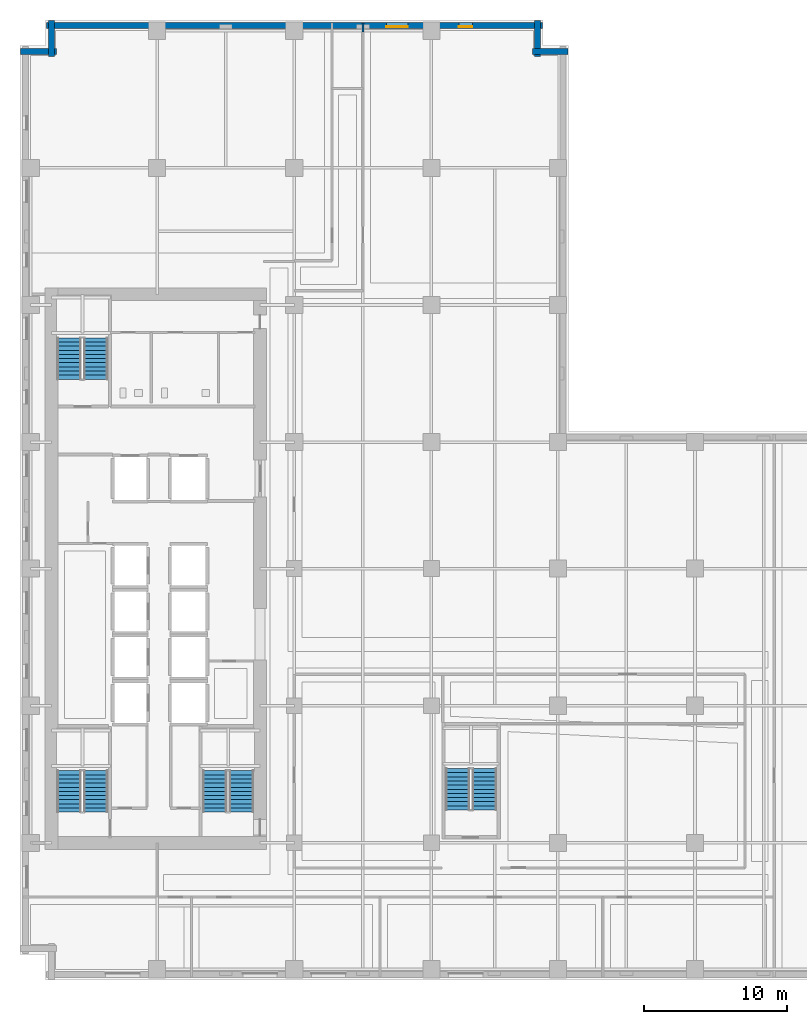
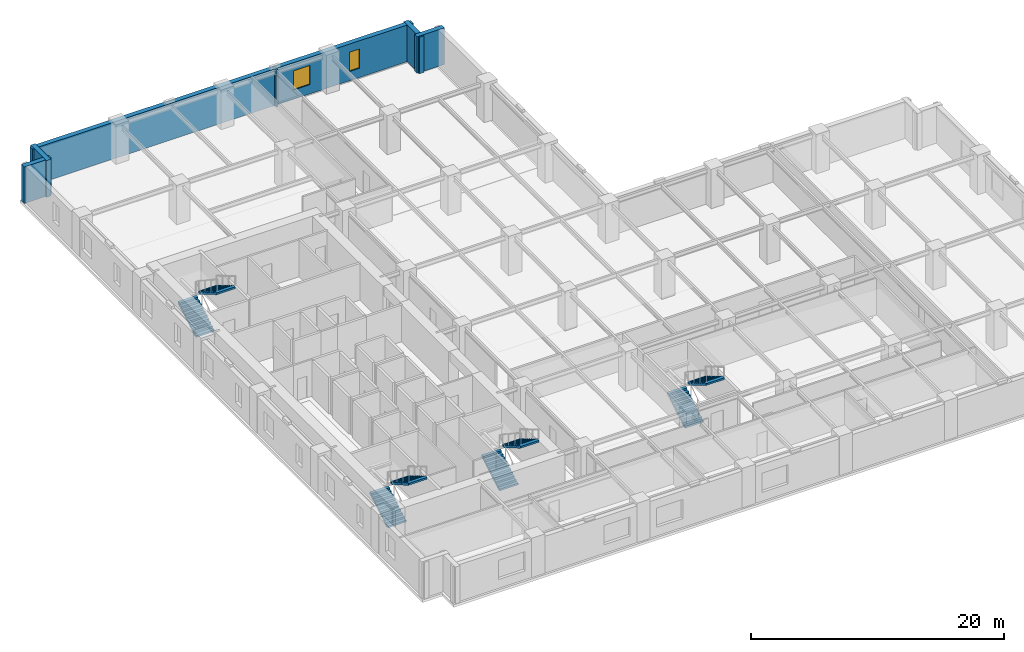
# One storey, part 8 of 13: 8 stair flights, 6 walls, 2 windows, 2 openings, 4 elements without a shape of their own.
"""IFC4 building model written with IfcOpenShell, lengths in metres."""

import ifcopenshell
import ifcopenshell.guid

model = None  # the IFC model being written
_history = None  # IfcOwnerHistory: only IFC2X3 demands one
_inside = {}  # id of a spatial element -> (the spatial element, [elements in it])
_under = {}  # id of a project, library or spatial element -> (it, [spatial elements below it])
_declared = {}  # id of a project -> (the project, [libraries it declares])
_typed = {}  # id of a type object -> (the type object, [elements of that type])
_made_of = {}  # id of a material, layer set ... -> (it, [elements and type objects made of it])


def new_model(schema):
    """Start an empty IFC model of exactly this schema.

    Asked for "IFC4X3", IfcOpenShell would pick the latest addendum, in which some entities
    have other attributes; the version numbers below select the first issue.
    IFC2X3 requires an IfcOwnerHistory on every rooted entity: one is made here for all.
    """
    global model, _history
    if schema == "IFC4X3":
        model = ifcopenshell.file(schema_version=(4, 3, 0, 0))
    else:
        model = ifcopenshell.file(schema=schema)
    _inside.clear()
    _under.clear()
    _declared.clear()
    _typed.clear()
    _made_of.clear()
    _history = None
    if model.schema == "IFC2X3":
        org = make("IfcOrganization", Name="unknown")
        user = make(
            "IfcPersonAndOrganization",
            ThePerson=make("IfcPerson", FamilyName="unknown"),
            TheOrganization=org,
        )
        app = make(
            "IfcApplication",
            ApplicationDeveloper=org,
            Version="unknown",
            ApplicationFullName="unknown",
            ApplicationIdentifier="unknown",
        )
        _history = make(
            "IfcOwnerHistory",
            OwningUser=user,
            OwningApplication=app,
            ChangeAction="ADDED",
            CreationDate=0,
        )
    return model


def make(cls, **values):
    """One entity of the class cls with the attributes given. An attribute that is None is left unset."""
    return model.create_entity(
        cls, **{name: value for name, value in values.items() if value is not None}
    )


def rooted(cls, **values):
    """An entity with a GlobalId (a new one), such as an element, a storey or a relation."""
    return make(cls, GlobalId=ifcopenshell.guid.new(), OwnerHistory=_history, **values)


def si_unit(unit_type, name, prefix=None):
    """IfcSIUnit, for example si_unit("LENGTHUNIT", "METRE", prefix="MILLI")."""
    return make("IfcSIUnit", UnitType=unit_type, Prefix=prefix, Name=name)


def assignment(units):
    """IfcUnitAssignment: the units of a project."""
    return None if units is None else make("IfcUnitAssignment", Units=units)


def point(xyz):
    """IfcCartesianPoint."""
    return None if xyz is None else make("IfcCartesianPoint", Coordinates=xyz)


def direction(xyz):
    """IfcDirection."""
    return None if xyz is None else make("IfcDirection", DirectionRatios=xyz)


def frame(location, z_axis=None, x_axis=None):
    """IfcAxis2Placement3D, a coordinate frame: its origin and axes. An axis left out is left unset."""
    return make(
        "IfcAxis2Placement3D",
        Location=point(location),
        Axis=direction(z_axis),
        RefDirection=direction(x_axis),
    )


def frame_2d(location, x_axis=None):
    """IfcAxis2Placement2D, a coordinate frame in the plane: its origin and x axis."""
    return make(
        "IfcAxis2Placement2D", Location=point(location), RefDirection=direction(x_axis)
    )


def origin():
    """The frame at (0, 0, 0) with its axes left unset."""
    return frame((0.0, 0.0, 0.0))


def place(relative_to, where):
    """IfcLocalPlacement: puts the frame where relative to a parent placement (None: the world)."""
    return make(
        "IfcLocalPlacement", PlacementRelTo=relative_to, RelativePlacement=where
    )


def context(
    kind, dimensions, precision=None, world=None, true_north=None, identifier=None
):
    """IfcGeometricRepresentationContext, for example the 3D "Model" context."""
    return make(
        "IfcGeometricRepresentationContext",
        ContextIdentifier=identifier,
        ContextType=kind,
        CoordinateSpaceDimension=dimensions,
        Precision=precision,
        WorldCoordinateSystem=world,
        TrueNorth=true_north,
    )


def subcontext(parent, identifier, kind, view, scale=None):
    """IfcGeometricRepresentationSubContext, for example "Body" below "Model"."""
    return make(
        "IfcGeometricRepresentationSubContext",
        ContextIdentifier=identifier,
        ContextType=kind,
        ParentContext=parent,
        TargetScale=scale,
        TargetView=view,
    )


def project(units=None, contexts=None):
    """IfcProject with its units and contexts."""
    return rooted(
        "IfcProject",
        Name="project",
        RepresentationContexts=contexts,
        UnitsInContext=assignment(units),
    )


def spatial(cls, under=None, at=None, **own):
    """A site, building, storey or space (cls), placed at a placement, below another one or the project."""
    s = rooted(cls, ObjectPlacement=at, **own)
    if under is not None:
        _under.setdefault(under.id(), (under, []))[1].append(s)
    return s


def polyline(points):
    """IfcPolyline through the points."""
    return make("IfcPolyline", Points=[point(p) for p in points])


def profile(cls, at=None, kind="AREA", **sizes):
    """A parametric profile (cls). Its sizes go by their IFC names, for example OverallWidth=200.0."""
    return make(cls, ProfileType=kind, Position=at, **sizes)


def rectangle(**sizes):
    """IfcRectangleProfileDef."""
    return profile("IfcRectangleProfileDef", **sizes)


def outline(outer, holes=None, kind="AREA"):
    """IfcArbitraryClosedProfileDef: a profile drawn as a closed curve; with holes, ...WithVoids."""
    if holes is None:
        return make("IfcArbitraryClosedProfileDef", ProfileType=kind, OuterCurve=outer)
    return make(
        "IfcArbitraryProfileDefWithVoids",
        ProfileType=kind,
        OuterCurve=outer,
        InnerCurves=holes,
    )


def extrude(swept, where, along, depth):
    """IfcExtrudedAreaSolid: the profile swept, set in the frame where, extruded along a direction by depth."""
    return make(
        "IfcExtrudedAreaSolid",
        SweptArea=swept,
        Position=where,
        ExtrudedDirection=direction(along),
        Depth=depth,
    )


def shape(context_of_items, identifier, shape_type, items):
    """IfcShapeRepresentation: the items that make up one representation, for example the "Body"."""
    return make(
        "IfcShapeRepresentation",
        ContextOfItems=context_of_items,
        RepresentationIdentifier=identifier,
        RepresentationType=shape_type,
        Items=items,
    )


def material(Name=None, Category=None):
    """IfcMaterial."""
    return make("IfcMaterial", Name=Name, Category=Category)


def layer(
    of_material, thickness, ventilated=None, Name=None, Category=None, Priority=None
):
    """IfcMaterialLayer: one layer of a wall or slab, of a material (None: an air gap)."""
    return make(
        "IfcMaterialLayer",
        Material=of_material,
        LayerThickness=thickness,
        IsVentilated=ventilated,
        Name=Name,
        Category=Category,
        Priority=Priority,
    )


def layer_set(layers, Name=None):
    """IfcMaterialLayerSet."""
    return make("IfcMaterialLayerSet", MaterialLayers=layers, LayerSetName=Name)


def made_of(thing, what):
    """Note that an element or type object is made of a material, layer set ...; save() writes the relation."""
    if what is not None:
        _made_of.setdefault(what.id(), (what, []))[1].append(thing)
    return thing


def type_object(cls, material=None, **own):
    """A type object (cls), such as IfcWallType, which elements share."""
    return made_of(rooted(cls, **own), material)


def element(
    cls,
    number,
    at=None,
    inside=None,
    cuts=None,
    type_object=None,
    material=None,
    context=None,
    identifier="Body",
    shape_type=None,
    held_by="IfcProductDefinitionShape",
    body=None,
    shapes=None,
    **own,
):
    """One element of the class cls, such as IfcWall. Its Tag is "e" and its number.

    at: its placement. inside: the storey or other place that contains it. cuts: it is an
    opening in that element (IfcRelVoidsElement). A single representation is given by context,
    identifier, shape_type and body (its items); several are given by shapes. held_by: the class
    of the entity that holds the representations. save() writes the other relations.
    """
    e = rooted(cls, Tag="e%d" % number, ObjectPlacement=at, **own)
    if body is not None:
        shapes = [shape(context, identifier, shape_type, body)]
    if shapes is not None:
        e.Representation = make(held_by, Representations=shapes)
    if inside is not None:
        _inside.setdefault(inside.id(), (inside, []))[1].append(e)
    if cuts is not None:
        rooted(
            "IfcRelVoidsElement", RelatingBuildingElement=cuts, RelatedOpeningElement=e
        )
    if type_object is not None:
        _typed.setdefault(type_object.id(), (type_object, []))[1].append(e)
    return made_of(e, material)


def fill(opening, filler):
    """IfcRelFillsElement: the door or window that sits in an opening."""
    return rooted(
        "IfcRelFillsElement",
        RelatingOpeningElement=opening,
        RelatedBuildingElement=filler,
    )


def aggregate(whole, parts):
    """IfcRelAggregates: a whole, such as a stair, and the parts it consists of."""
    return rooted("IfcRelAggregates", RelatingObject=whole, RelatedObjects=parts)


def save(model, path):
    """Write the relations noted so far, then the file.

    IfcRelAggregates (storeys below a building ...), IfcRelContainedInSpatialStructure (elements
    in a storey), IfcRelDefinesByType, IfcRelAssociatesMaterial and IfcRelDeclares: one each for
    every whole, place, type object, material and project.
    """
    for whole, parts in _under.values():
        aggregate(whole, parts)
    for where, things in _inside.values():
        rooted(
            "IfcRelContainedInSpatialStructure",
            RelatedElements=things,
            RelatingStructure=where,
        )
    for kind, things in _typed.values():
        rooted("IfcRelDefinesByType", RelatedObjects=things, RelatingType=kind)
    for what, things in _made_of.values():
        rooted("IfcRelAssociatesMaterial", RelatedObjects=things, RelatingMaterial=what)
    for by, libraries in _declared.values():
        rooted("IfcRelDeclares", RelatingContext=by, RelatedDefinitions=libraries)
    model.write(path)


model = new_model("IFC4")

# Units and contexts
model_context = context("Model", 3, precision=1e-05, world=origin(), true_north=direction((0.0, 1.0)))
body_context = subcontext(model_context, "Body", "Model", "MODEL_VIEW")
ifc_project = project(units=[si_unit("LENGTHUNIT", "METRE"), si_unit("AREAUNIT", "SQUARE_METRE"), si_unit("VOLUMEUNIT", "CUBIC_METRE"), si_unit("PLANEANGLEUNIT", "RADIAN"), si_unit("MASSUNIT", "GRAM", prefix="KILO")], contexts=[model_context])

# Site, building, storey
site_placement = place(None, origin())
site = spatial("IfcSite", under=ifc_project, at=site_placement, CompositionType="ELEMENT")
building_placement = place(site_placement, origin())
building = spatial("IfcBuilding", under=site, at=building_placement, Name="Norrvale University Quadrangle", CompositionType="ELEMENT")
storey_placement = place(building_placement, frame((0.0, 0.0, 35.60009765625)))
storey = spatial("IfcBuildingStorey", under=building, at=storey_placement, Name="L08", CompositionType="ELEMENT", Elevation=35.60009765625)

# Walls
ifc_material_1 = material(Name="Buff Norman Clay Brick Masonry", Category="masonry")
ifc_layer_1 = layer(ifc_material_1, 0.419921875, Name="Buff Norman Clay Brick Masonry")
ifc_layer_set_1 = layer_set([ifc_layer_1], Name="Buff Norman Clay Brick Masonry")
wall_type_1 = type_object("IfcWallType", Name="Wall Buff Brick 420", PredefinedType="SOLIDWALL", material=ifc_layer_set_1)
for number, where, z_axis, x_axis, name in (
    (1, (38.360107421875, 65.010009765625, 0.0), (0.0, 0.0, 1.0), (-1.0, 0.0, 0.0), "Exterior Brick Facade Wall L08-09.1"),
    (2, (36.2099609375, 64.659912109375, 0.0), (0.0, 0.0, 1.0), (0.0, 1.0, 0.0), "Exterior Brick Facade Wall L08-10.1"),
):
    element("IfcWall", number, at=place(storey_placement, frame(where, z_axis=z_axis, x_axis=x_axis)), inside=storey, type_object=wall_type_1, Name=name, PredefinedType="SOLIDWALL", context=body_context, shape_type="SweptSolid", body=[
        extrude(rectangle(XDim=2.5, YDim=0.419921875, at=frame_2d((1.25, 0.0))), origin(), (0.0, 0.0, 1.0), 3.539794921875),
    ])

# Wall, openings, windows
wall_1_placement = place(storey_placement, frame((36.56005859375, 66.81005859375, 0.0), z_axis=(0.0, 0.0, 1.0), x_axis=(-1.0, 0.0, 0.0)))
wall_1 = element("IfcWall", 3, at=wall_1_placement, inside=storey, type_object=wall_type_1, Name="Exterior Brick Facade Wall L08-11.1", PredefinedType="SOLIDWALL", context=body_context, shape_type="SweptSolid", body=[
    extrude(rectangle(XDim=34.719970703125, YDim=0.419921875, at=frame_2d((17.35986328125, 0.0))), origin(), (0.0, 0.0, 1.0), 3.539794921875),
])
opening_1_placement = place(wall_1_placement, frame((4.885009765625, 0.0, 0.89990234375)))
opening_1 = element("IfcOpeningElement", 4, at=opening_1_placement, cuts=wall_1, Name="Opening W04", PredefinedType="OPENING", context=body_context, shape_type="SweptSolid", body=[
    extrude(rectangle(XDim=0.949951171875, YDim=1.85009765625, at=frame_2d((0.47509765625, 0.925048828125))), frame((0.0, 0.221923828125, 0.0), z_axis=(0.0, -1.0, 0.0), x_axis=(1.0, 0.0, 0.0)), (0.0, 0.0, 1.0), 0.44384765625),
])
opening_2_placement = place(wall_1_placement, frame((9.409912109375, 0.0, 0.89990234375)))
opening_2 = element("IfcOpeningElement", 5, at=opening_2_placement, cuts=wall_1, Name="Opening W03", PredefinedType="OPENING", context=body_context, shape_type="SweptSolid", body=[
    extrude(rectangle(XDim=1.5, YDim=1.85009765625, at=frame_2d((0.75, 0.925048828125))), frame((0.0, 0.221923828125, 0.0), z_axis=(0.0, -1.0, 0.0), x_axis=(1.0, 0.0, 0.0)), (0.0, 0.0, 1.0), 0.44384765625),
])
ifc_material_2 = material(Name="Triple Low-E Argon Glazing", Category="glass")
window_type_1 = type_object("IfcWindowType", Name="Window Narrow Pier 950x2300", PartitioningType="SINGLE_PANEL", PredefinedType="WINDOW", material=ifc_material_2)
window_1_placement = place(opening_1_placement, origin())
window_1 = element("IfcWindow", 6, at=window_1_placement, inside=storey, type_object=window_type_1, Name="Window Narrow Pier 950x2300 WIN-L08-E11-1-01", OverallHeight=1.85009765625, OverallWidth=0.949951171875, PartitioningType="SINGLE_PANEL", PredefinedType="WINDOW", context=body_context, shape_type="SweptSolid", body=[
    extrude(rectangle(XDim=0.949951171875, YDim=1.85009765625, at=frame_2d((0.47509765625, 0.925048828125))), frame((0.0, 0.110107421875, 0.0), z_axis=(0.0, -1.0, 0.0), x_axis=(1.0, 0.0, 0.0)), (0.0, 0.0, 1.0), 0.06005859375),
])
fill(opening_1, window_1)
window_type_2 = type_object("IfcWindowType", Name="Window Studio 1500x2300", PartitioningType="DOUBLE_PANEL_VERTICAL", PredefinedType="WINDOW", material=ifc_material_2)
window_2_placement = place(opening_2_placement, origin())
window_2 = element("IfcWindow", 7, at=window_2_placement, inside=storey, type_object=window_type_2, Name="Window Studio 1500x2300 WIN-L08-E11-1-02", OverallHeight=1.85009765625, OverallWidth=1.5, PartitioningType="DOUBLE_PANEL_VERTICAL", PredefinedType="WINDOW", context=body_context, shape_type="SweptSolid", body=[
    extrude(rectangle(XDim=1.5, YDim=1.85009765625, at=frame_2d((0.75, 0.925048828125))), frame((0.0, 0.110107421875, 0.0), z_axis=(0.0, -1.0, 0.0), x_axis=(1.0, 0.0, 0.0)), (0.0, 0.0, 1.0), 0.06005859375),
])
fill(opening_2, window_2)

# Walls
for number, where, z_axis, x_axis, name in (
    (8, (2.18994140625, 67.159912109375, 0.0), (0.0, 0.0, 1.0), (0.0, -1.0, 0.0), "Exterior Brick Facade Wall L08-12.1"),
    (9, (2.5400390625, 65.010009765625, 0.0), (0.0, 0.0, 1.0), (-1.0, 0.0, 0.0), "Exterior Brick Facade Wall L08-13.1"),
):
    element("IfcWall", number, at=place(storey_placement, frame(where, z_axis=z_axis, x_axis=x_axis)), inside=storey, type_object=wall_type_1, Name=name, PredefinedType="SOLIDWALL", context=body_context, shape_type="SweptSolid", body=[
        extrude(rectangle(XDim=2.5, YDim=0.419921875, at=frame_2d((1.25, 0.0))), origin(), (0.0, 0.0, 1.0), 3.539794921875),
    ])
ifc_material_3 = material(Name="Fire-Rated Gypsum Stud Partition")
ifc_layer_2 = layer(ifc_material_3, 0.14990234375, Name="Fire-Rated Gypsum Stud Partition")
ifc_layer_set_2 = layer_set([ifc_layer_2], Name="Fire-Rated Gypsum Stud Partition")
wall_type_2 = type_object("IfcWallType", Name="Wall Gypsum Corridor 150", PredefinedType="PARTITIONING", material=ifc_layer_set_2)
wall_2_placement = place(storey_placement, frame((24.0, 66.359619140625, 0.0), z_axis=(0.0, 0.0, 1.0), x_axis=(0.0, 1.0, 0.0)))
element("IfcWall", 10, at=wall_2_placement, inside=storey, type_object=wall_type_2, Name="Interior Partition WL-L08-NECW-B2", PredefinedType="PARTITIONING", context=body_context, shape_type="SweptSolid", body=[
    extrude(rectangle(XDim=0.620361328125, YDim=0.14990234375, at=frame_2d((0.31005859375, 0.0))), origin(), (0.0, 0.0, 1.0), 3.539794921875),
])

# Stair, stair flights
ifc_material_4 = material(Name="Concrete C40/50", Category="concrete")
stair_type = type_object("IfcStairType", Name="Stair Tower Typ 3800", PredefinedType="TWO_STRAIGHT_RUN_STAIR", material=ifc_material_4)
stair_1_placement = place(storey_placement, origin())
stair_1 = element("IfcStair", 11, at=stair_1_placement, inside=storey, type_object=stair_type, Name="Exit Stair ST-01 L08", PredefinedType="TWO_STRAIGHT_RUN_STAIR")
stair_flight_type = type_object("IfcStairFlightType", Name="Flight Typ 1500", PredefinedType="STRAIGHT", material=ifc_material_4)
stair_flight_1_placement = place(storey_placement, frame((3.429931640625, 11.75, 0.0), z_axis=(0.0, 0.0, 1.0), x_axis=(0.0, 1.0, 0.0)))
stair_flight_1 = element("IfcStairFlight", 12, at=stair_flight_1_placement, type_object=stair_flight_type, Name="Exit Stair ST-01 L08 Lower Flight", NumberOfRisers=11, NumberOfTreads=10, PredefinedType="STRAIGHT", RiserHeight=0.172727, TreadLength=0.29, context=body_context, shape_type="SweptSolid", body=[
    extrude(outline(polyline([(0.0, 0.0), (0.0, 0.172607421875), (0.2900390625, 0.172607421875), (0.2900390625, 0.345458984375), (0.580078125, 0.345458984375), (0.580078125, 0.51806640625), (0.8701171875, 0.51806640625), (0.8701171875, 0.69091796875), (1.159912109375, 0.69091796875), (1.159912109375, 0.863525390625), (1.449951171875, 0.863525390625), (1.449951171875, 1.036376953125), (1.739990234375, 1.036376953125), (1.739990234375, 1.208984375), (2.030029296875, 1.208984375), (2.030029296875, 1.3818359375), (2.320068359375, 1.3818359375), (2.320068359375, 1.554443359375), (2.610107421875, 1.554443359375), (2.610107421875, 1.727294921875), (2.89990234375, 1.727294921875), (2.89990234375, 1.89990234375), (2.89990234375, 1.552734375), (0.29296875, 0.0), (0.0, 0.0)])), frame((0.0, 0.83984375, 0.0), z_axis=(0.0, -1.0, 0.0), x_axis=(1.0, 0.0, 0.0)), (0.0, 0.0, 1.0), 1.679931640625),
])
stair_flight_2_placement = place(storey_placement, frame((5.320068359375, 14.64990234375, 1.89990234375), z_axis=(0.0, 0.0, 1.0), x_axis=(0.0, -1.0, 0.0)))
stair_flight_2 = element("IfcStairFlight", 13, at=stair_flight_2_placement, type_object=stair_flight_type, Name="Exit Stair ST-01 L08 Upper Flight", NumberOfRisers=11, NumberOfTreads=10, PredefinedType="STRAIGHT", RiserHeight=0.172727, TreadLength=0.29, context=body_context, shape_type="SweptSolid", body=[
    extrude(outline(polyline([(0.0, 0.0), (0.0, 0.172607421875), (0.2900390625, 0.172607421875), (0.2900390625, 0.345458984375), (0.580078125, 0.345458984375), (0.580078125, 0.51806640625), (0.8701171875, 0.51806640625), (0.8701171875, 0.69091796875), (1.159912109375, 0.69091796875), (1.159912109375, 0.863525390625), (1.449951171875, 0.863525390625), (1.449951171875, 1.036376953125), (1.739990234375, 1.036376953125), (1.739990234375, 1.208984375), (2.030029296875, 1.208984375), (2.030029296875, 1.3818359375), (2.320068359375, 1.3818359375), (2.320068359375, 1.554443359375), (2.610107421875, 1.554443359375), (2.610107421875, 1.727294921875), (2.89990234375, 1.727294921875), (2.89990234375, 1.89990234375), (2.89990234375, 1.552734375), (0.29296875, 0.0), (0.0, 0.0)])), frame((0.0, 0.83984375, 0.0), z_axis=(0.0, -1.0, 0.0), x_axis=(1.0, 0.0, 0.0)), (0.0, 0.0, 1.0), 1.679931640625),
])
aggregate(stair_1, [stair_flight_1, stair_flight_2])

stair_2_placement = place(storey_placement, origin())
stair_2 = element("IfcStair", 14, at=stair_2_placement, inside=storey, type_object=stair_type, Name="Exit Stair ST-02 L08", PredefinedType="TWO_STRAIGHT_RUN_STAIR")
stair_flight_3_placement = place(storey_placement, frame((3.429931640625, 42.050048828125, 0.0), z_axis=(0.0, 0.0, 1.0), x_axis=(0.0, 1.0, 0.0)))
stair_flight_3 = element("IfcStairFlight", 15, at=stair_flight_3_placement, type_object=stair_flight_type, Name="Exit Stair ST-02 L08 Lower Flight", NumberOfRisers=11, NumberOfTreads=10, PredefinedType="STRAIGHT", RiserHeight=0.172727, TreadLength=0.29, context=body_context, shape_type="SweptSolid", body=[
    extrude(outline(polyline([(0.0, 0.0), (0.0, 0.172607421875), (0.2900390625, 0.172607421875), (0.2900390625, 0.345458984375), (0.580078125, 0.345458984375), (0.580078125, 0.51806640625), (0.8701171875, 0.51806640625), (0.8701171875, 0.69091796875), (1.159912109375, 0.69091796875), (1.159912109375, 0.863525390625), (1.449951171875, 0.863525390625), (1.449951171875, 1.036376953125), (1.739990234375, 1.036376953125), (1.739990234375, 1.208984375), (2.030029296875, 1.208984375), (2.030029296875, 1.3818359375), (2.320068359375, 1.3818359375), (2.320068359375, 1.554443359375), (2.610107421875, 1.554443359375), (2.610107421875, 1.727294921875), (2.89990234375, 1.727294921875), (2.89990234375, 1.89990234375), (2.89990234375, 1.552734375), (0.29296875, 0.0), (0.0, 0.0)])), frame((0.0, 0.83984375, 0.0), z_axis=(0.0, -1.0, 0.0), x_axis=(1.0, 0.0, 0.0)), (0.0, 0.0, 1.0), 1.679931640625),
])
stair_flight_4_placement = place(storey_placement, frame((5.320068359375, 44.949951171875, 1.89990234375), z_axis=(0.0, 0.0, 1.0), x_axis=(0.0, -1.0, 0.0)))
stair_flight_4 = element("IfcStairFlight", 16, at=stair_flight_4_placement, type_object=stair_flight_type, Name="Exit Stair ST-02 L08 Upper Flight", NumberOfRisers=11, NumberOfTreads=10, PredefinedType="STRAIGHT", RiserHeight=0.172727, TreadLength=0.29, context=body_context, shape_type="SweptSolid", body=[
    extrude(outline(polyline([(0.0, 0.0), (0.0, 0.172607421875), (0.2900390625, 0.172607421875), (0.2900390625, 0.345458984375), (0.580078125, 0.345458984375), (0.580078125, 0.51806640625), (0.8701171875, 0.51806640625), (0.8701171875, 0.69091796875), (1.159912109375, 0.69091796875), (1.159912109375, 0.863525390625), (1.449951171875, 0.863525390625), (1.449951171875, 1.036376953125), (1.739990234375, 1.036376953125), (1.739990234375, 1.208984375), (2.030029296875, 1.208984375), (2.030029296875, 1.3818359375), (2.320068359375, 1.3818359375), (2.320068359375, 1.554443359375), (2.610107421875, 1.554443359375), (2.610107421875, 1.727294921875), (2.89990234375, 1.727294921875), (2.89990234375, 1.89990234375), (2.89990234375, 1.552734375), (0.29296875, 0.0), (0.0, 0.0)])), frame((0.0, 0.83984375, 0.0), z_axis=(0.0, -1.0, 0.0), x_axis=(1.0, 0.0, 0.0)), (0.0, 0.0, 1.0), 1.679931640625),
])
aggregate(stair_2, [stair_flight_3, stair_flight_4])

stair_3_placement = place(storey_placement, origin())
stair_3 = element("IfcStair", 17, at=stair_3_placement, inside=storey, type_object=stair_type, Name="Exit Stair ST-03 L08", PredefinedType="TWO_STRAIGHT_RUN_STAIR")
stair_flight_5_placement = place(storey_placement, frame((13.6298828125, 11.75, 0.0), z_axis=(0.0, 0.0, 1.0), x_axis=(0.0, 1.0, 0.0)))
stair_flight_5 = element("IfcStairFlight", 18, at=stair_flight_5_placement, type_object=stair_flight_type, Name="Exit Stair ST-03 L08 Lower Flight", NumberOfRisers=11, NumberOfTreads=10, PredefinedType="STRAIGHT", RiserHeight=0.172727, TreadLength=0.29, context=body_context, shape_type="SweptSolid", body=[
    extrude(outline(polyline([(0.0, 0.0), (0.0, 0.172607421875), (0.2900390625, 0.172607421875), (0.2900390625, 0.345458984375), (0.580078125, 0.345458984375), (0.580078125, 0.51806640625), (0.8701171875, 0.51806640625), (0.8701171875, 0.69091796875), (1.159912109375, 0.69091796875), (1.159912109375, 0.863525390625), (1.449951171875, 0.863525390625), (1.449951171875, 1.036376953125), (1.739990234375, 1.036376953125), (1.739990234375, 1.208984375), (2.030029296875, 1.208984375), (2.030029296875, 1.3818359375), (2.320068359375, 1.3818359375), (2.320068359375, 1.554443359375), (2.610107421875, 1.554443359375), (2.610107421875, 1.727294921875), (2.89990234375, 1.727294921875), (2.89990234375, 1.89990234375), (2.89990234375, 1.552734375), (0.29296875, 0.0), (0.0, 0.0)])), frame((0.0, 0.83984375, 0.0), z_axis=(0.0, -1.0, 0.0), x_axis=(1.0, 0.0, 0.0)), (0.0, 0.0, 1.0), 1.679931640625),
])
stair_flight_6_placement = place(storey_placement, frame((15.52001953125, 14.64990234375, 1.89990234375), z_axis=(0.0, 0.0, 1.0), x_axis=(0.0, -1.0, 0.0)))
stair_flight_6 = element("IfcStairFlight", 19, at=stair_flight_6_placement, type_object=stair_flight_type, Name="Exit Stair ST-03 L08 Upper Flight", NumberOfRisers=11, NumberOfTreads=10, PredefinedType="STRAIGHT", RiserHeight=0.172727, TreadLength=0.29, context=body_context, shape_type="SweptSolid", body=[
    extrude(outline(polyline([(0.0, 0.0), (0.0, 0.172607421875), (0.2900390625, 0.172607421875), (0.2900390625, 0.345458984375), (0.580078125, 0.345458984375), (0.580078125, 0.51806640625), (0.8701171875, 0.51806640625), (0.8701171875, 0.69091796875), (1.159912109375, 0.69091796875), (1.159912109375, 0.863525390625), (1.449951171875, 0.863525390625), (1.449951171875, 1.036376953125), (1.739990234375, 1.036376953125), (1.739990234375, 1.208984375), (2.030029296875, 1.208984375), (2.030029296875, 1.3818359375), (2.320068359375, 1.3818359375), (2.320068359375, 1.554443359375), (2.610107421875, 1.554443359375), (2.610107421875, 1.727294921875), (2.89990234375, 1.727294921875), (2.89990234375, 1.89990234375), (2.89990234375, 1.552734375), (0.29296875, 0.0), (0.0, 0.0)])), frame((0.0, 0.83984375, 0.0), z_axis=(0.0, -1.0, 0.0), x_axis=(1.0, 0.0, 0.0)), (0.0, 0.0, 1.0), 1.679931640625),
])
aggregate(stair_3, [stair_flight_5, stair_flight_6])

stair_4_placement = place(storey_placement, origin())
stair_4 = element("IfcStair", 20, at=stair_4_placement, inside=storey, type_object=stair_type, Name="Exit Stair ST-04 L08", PredefinedType="TWO_STRAIGHT_RUN_STAIR")
stair_flight_7_placement = place(storey_placement, frame((30.6298828125, 11.89990234375, 0.0), z_axis=(0.0, 0.0, 1.0), x_axis=(0.0, 1.0, 0.0)))
stair_flight_7 = element("IfcStairFlight", 21, at=stair_flight_7_placement, type_object=stair_flight_type, Name="Exit Stair ST-04 L08 Lower Flight", NumberOfRisers=11, NumberOfTreads=10, PredefinedType="STRAIGHT", RiserHeight=0.172727, TreadLength=0.29, context=body_context, shape_type="SweptSolid", body=[
    extrude(outline(polyline([(0.0, 0.0), (0.0, 0.172607421875), (0.2900390625, 0.172607421875), (0.2900390625, 0.345458984375), (0.580078125, 0.345458984375), (0.580078125, 0.51806640625), (0.8701171875, 0.51806640625), (0.8701171875, 0.69091796875), (1.159912109375, 0.69091796875), (1.159912109375, 0.863525390625), (1.449951171875, 0.863525390625), (1.449951171875, 1.036376953125), (1.739990234375, 1.036376953125), (1.739990234375, 1.208984375), (2.030029296875, 1.208984375), (2.030029296875, 1.3818359375), (2.320068359375, 1.3818359375), (2.320068359375, 1.554443359375), (2.610107421875, 1.554443359375), (2.610107421875, 1.727294921875), (2.89990234375, 1.727294921875), (2.89990234375, 1.89990234375), (2.89990234375, 1.552734375), (0.29296875, 0.0), (0.0, 0.0)])), frame((0.0, 0.83984375, 0.0), z_axis=(0.0, -1.0, 0.0), x_axis=(1.0, 0.0, 0.0)), (0.0, 0.0, 1.0), 1.679931640625),
])
stair_flight_8_placement = place(storey_placement, frame((32.52001953125, 14.800048828125, 1.89990234375), z_axis=(0.0, 0.0, 1.0), x_axis=(0.0, -1.0, 0.0)))
stair_flight_8 = element("IfcStairFlight", 22, at=stair_flight_8_placement, type_object=stair_flight_type, Name="Exit Stair ST-04 L08 Upper Flight", NumberOfRisers=11, NumberOfTreads=10, PredefinedType="STRAIGHT", RiserHeight=0.172727, TreadLength=0.29, context=body_context, shape_type="SweptSolid", body=[
    extrude(outline(polyline([(0.0, 0.0), (0.0, 0.172607421875), (0.2900390625, 0.172607421875), (0.2900390625, 0.345458984375), (0.580078125, 0.345458984375), (0.580078125, 0.51806640625), (0.8701171875, 0.51806640625), (0.8701171875, 0.69091796875), (1.159912109375, 0.69091796875), (1.159912109375, 0.863525390625), (1.449951171875, 0.863525390625), (1.449951171875, 1.036376953125), (1.739990234375, 1.036376953125), (1.739990234375, 1.208984375), (2.030029296875, 1.208984375), (2.030029296875, 1.3818359375), (2.320068359375, 1.3818359375), (2.320068359375, 1.554443359375), (2.610107421875, 1.554443359375), (2.610107421875, 1.727294921875), (2.89990234375, 1.727294921875), (2.89990234375, 1.89990234375), (2.89990234375, 1.552734375), (0.29296875, 0.0), (0.0, 0.0)])), frame((0.0, 0.83984375, 0.0), z_axis=(0.0, -1.0, 0.0), x_axis=(1.0, 0.0, 0.0)), (0.0, 0.0, 1.0), 1.679931640625),
])
aggregate(stair_4, [stair_flight_7, stair_flight_8])

save(model, "model.ifc")
